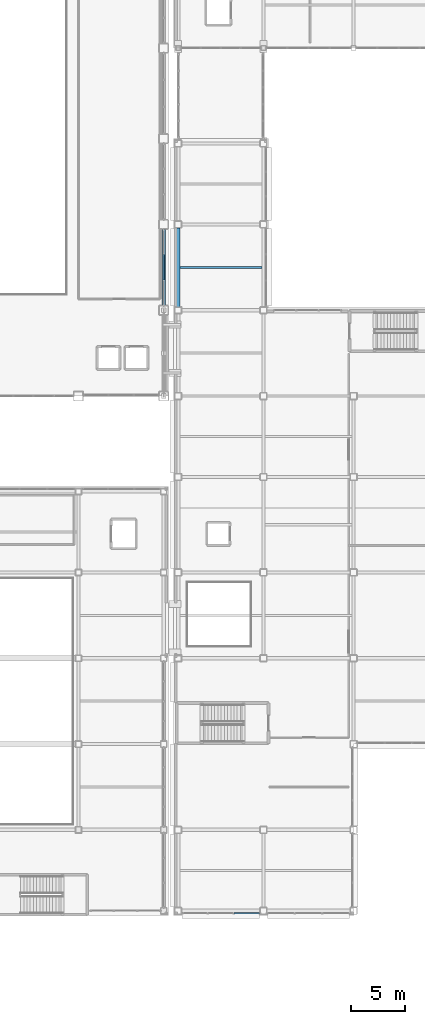
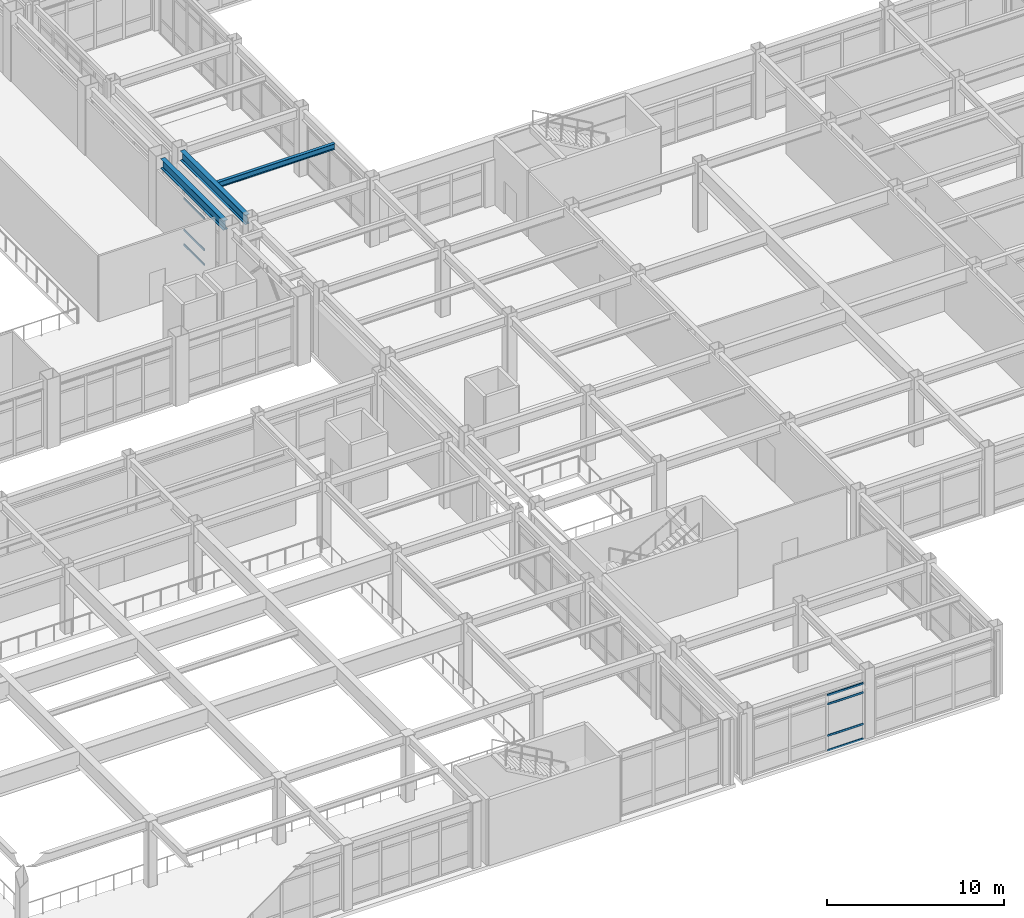
# One storey, part 39 of 172: 8 members, 3 beams, 2 elements without a shape of their own.
"""IFC4 building model written with IfcOpenShell, lengths in metres."""

from ifc_helpers import new_model, si_unit, direction, frame, origin, origin_2d, place, context, subcontext, project, spatial, hollow_rectangle, i_section, extrude, material, layer, layer_set, material_profile, profile_set, type_object, element, aggregate, save


model = new_model("IFC4")

# Units and contexts
model_context = context("Model", 3, precision=1e-05, world=origin(), true_north=direction((0.0, 1.0)))
body_context = subcontext(model_context, "Body", "Model", "MODEL_VIEW")
ifc_project = project(units=[si_unit("LENGTHUNIT", "METRE"), si_unit("AREAUNIT", "SQUARE_METRE"), si_unit("VOLUMEUNIT", "CUBIC_METRE"), si_unit("PLANEANGLEUNIT", "RADIAN"), si_unit("MASSUNIT", "GRAM", prefix="KILO")], contexts=[model_context])

# Site, building, storey
site_placement = place(None, origin())
site = spatial("IfcSite", under=ifc_project, at=site_placement, CompositionType="ELEMENT")
building_placement = place(site_placement, origin())
building = spatial("IfcBuilding", under=site, at=building_placement, Name="Kazehara Bluff Congress Hotel", CompositionType="ELEMENT")
storey_placement = place(building_placement, frame((0.0, 0.0, 5.39990234375)))
storey = spatial("IfcBuildingStorey", under=building, at=storey_placement, Name="L01", CompositionType="ELEMENT", Elevation=5.39990234375)

# Curtain wall, members
ifc_material_1 = material(Name="Anodised aluminium", Category="aluminium")
ifc_layer_1 = layer(ifc_material_1, 0.159912109375)
ifc_layer_set_1 = layer_set([ifc_layer_1], Name="Anodised aluminium")
curtain_wall_type_1 = type_object("IfcCurtainWallType", Name="TP-CW-20", PredefinedType="NOTDEFINED", material=ifc_layer_set_1)
curtain_wall_1_placement = place(storey_placement, origin())
curtain_wall_1 = element("IfcCurtainWall", 1, at=curtain_wall_1_placement, inside=storey, type_object=curtain_wall_type_1, Name="L01 curtain wall CW-20 CW-V1-L01-X5835-5690", PredefinedType="NOTDEFINED")
ifc_material_2 = material(Name="Anodised aluminium", Category="aluminium")
ifc_material_profile_1 = material_profile(ifc_material_2, hollow_rectangle(XDim=0.06494140625, YDim=0.139892578125, WallThickness=0.00390625, InnerFilletRadius=0.00390625, OuterFilletRadius=0.008056640625, at=origin_2d()))
ifc_profile_set_1 = profile_set([ifc_material_profile_1], Name="Anodised aluminium")
member_type = type_object("IfcMemberType", Name="TP-CWT-02", PredefinedType="USERDEFINED", material=ifc_profile_set_1)
member_1_placement = place(storey_placement, frame((58.35009765625, 59.299072265625, 0.03271484375), z_axis=(0.0, 1.0, 0.0), x_axis=(-1.0, 0.0, 0.0)))
member_1 = element("IfcMember", 2, at=member_1_placement, type_object=member_type, Name="CW-20 transom 2.1", ObjectType="TRANSOM", PredefinedType="USERDEFINED", context=body_context, shape_type="SweptSolid", body=[
    extrude(hollow_rectangle(XDim=0.06494140625, YDim=0.139892578125, WallThickness=0.00390625, InnerFilletRadius=0.00390625, OuterFilletRadius=0.008056640625, at=origin_2d()), origin(), (0.0, 0.0, 1.0), 2.3017578125),
])
member_2_placement = place(storey_placement, frame((58.35009765625, 59.299072265625, 1.050048828125), z_axis=(0.0, 1.0, 0.0), x_axis=(-1.0, 0.0, 0.0)))
member_2 = element("IfcMember", 3, at=member_2_placement, type_object=member_type, Name="CW-20 transom 2.2", ObjectType="TRANSOM", PredefinedType="USERDEFINED", context=body_context, shape_type="SweptSolid", body=[
    extrude(hollow_rectangle(XDim=0.06494140625, YDim=0.139892578125, WallThickness=0.00390625, InnerFilletRadius=0.00390625, OuterFilletRadius=0.008056640625, at=origin_2d()), origin(), (0.0, 0.0, 1.0), 2.3017578125),
])
member_3_placement = place(storey_placement, frame((58.35009765625, 59.299072265625, 3.22509765625), z_axis=(0.0, 1.0, 0.0), x_axis=(-1.0, 0.0, 0.0)))
member_3 = element("IfcMember", 4, at=member_3_placement, type_object=member_type, Name="CW-20 transom 2.3", ObjectType="TRANSOM", PredefinedType="USERDEFINED", context=body_context, shape_type="SweptSolid", body=[
    extrude(hollow_rectangle(XDim=0.06494140625, YDim=0.139892578125, WallThickness=0.00390625, InnerFilletRadius=0.00390625, OuterFilletRadius=0.008056640625, at=origin_2d()), origin(), (0.0, 0.0, 1.0), 2.3017578125),
])
member_4_placement = place(storey_placement, frame((58.35009765625, 59.299072265625, 3.842529296875), z_axis=(0.0, 1.0, 0.0), x_axis=(-1.0, 0.0, 0.0)))
member_4 = element("IfcMember", 5, at=member_4_placement, type_object=member_type, Name="CW-20 transom 2.4", ObjectType="TRANSOM", PredefinedType="USERDEFINED", context=body_context, shape_type="SweptSolid", body=[
    extrude(hollow_rectangle(XDim=0.06494140625, YDim=0.139892578125, WallThickness=0.00390625, InnerFilletRadius=0.00390625, OuterFilletRadius=0.008056640625, at=origin_2d()), origin(), (0.0, 0.0, 1.0), 2.3017578125),
])
aggregate(curtain_wall_1, [member_1, member_2, member_3, member_4])

ifc_material_3 = material(Name="Anodised aluminium", Category="aluminium")
ifc_layer_2 = layer(ifc_material_3, 0.159912109375)
ifc_layer_set_2 = layer_set([ifc_layer_2], Name="Anodised aluminium")
curtain_wall_type_2 = type_object("IfcCurtainWallType", Name="TP-CW-80", PredefinedType="NOTDEFINED", material=ifc_layer_set_2)
curtain_wall_2_placement = place(storey_placement, origin())
curtain_wall_2 = element("IfcCurtainWall", 6, at=curtain_wall_2_placement, inside=storey, type_object=curtain_wall_type_2, Name="L01 curtain wall CW-80 CW-ENC-V4-L01-6368-22", PredefinedType="NOTDEFINED")
member_5_placement = place(storey_placement, frame((67.260009765625, 0.219970703125, 0.03271484375), z_axis=(-1.0, 0.0, 0.0), x_axis=(0.0, -1.0, 0.0)))
member_5 = element("IfcMember", 7, at=member_5_placement, type_object=member_type, Name="CW-80 transom 1.1", ObjectType="TRANSOM", PredefinedType="USERDEFINED", context=body_context, shape_type="SweptSolid", body=[
    extrude(hollow_rectangle(XDim=0.06494140625, YDim=0.139892578125, WallThickness=0.00390625, InnerFilletRadius=0.00390625, OuterFilletRadius=0.008056640625, at=origin_2d()), origin(), (0.0, 0.0, 1.0), 2.3359375),
])
member_6_placement = place(storey_placement, frame((67.260009765625, 0.219970703125, 1.050048828125), z_axis=(-1.0, 0.0, 0.0), x_axis=(0.0, -1.0, 0.0)))
member_6 = element("IfcMember", 8, at=member_6_placement, type_object=member_type, Name="CW-80 transom 1.2", ObjectType="TRANSOM", PredefinedType="USERDEFINED", context=body_context, shape_type="SweptSolid", body=[
    extrude(hollow_rectangle(XDim=0.06494140625, YDim=0.139892578125, WallThickness=0.00390625, InnerFilletRadius=0.00390625, OuterFilletRadius=0.008056640625, at=origin_2d()), origin(), (0.0, 0.0, 1.0), 2.3359375),
])
member_7_placement = place(storey_placement, frame((67.260009765625, 0.219970703125, 3.22509765625), z_axis=(-1.0, 0.0, 0.0), x_axis=(0.0, -1.0, 0.0)))
member_7 = element("IfcMember", 9, at=member_7_placement, type_object=member_type, Name="CW-80 transom 1.3", ObjectType="TRANSOM", PredefinedType="USERDEFINED", context=body_context, shape_type="SweptSolid", body=[
    extrude(hollow_rectangle(XDim=0.06494140625, YDim=0.139892578125, WallThickness=0.00390625, InnerFilletRadius=0.00390625, OuterFilletRadius=0.008056640625, at=origin_2d()), origin(), (0.0, 0.0, 1.0), 2.3359375),
])
member_8_placement = place(storey_placement, frame((67.260009765625, 0.219970703125, 3.842529296875), z_axis=(-1.0, 0.0, 0.0), x_axis=(0.0, -1.0, 0.0)))
member_8 = element("IfcMember", 10, at=member_8_placement, type_object=member_type, Name="CW-80 transom 1.4", ObjectType="TRANSOM", PredefinedType="USERDEFINED", context=body_context, shape_type="SweptSolid", body=[
    extrude(hollow_rectangle(XDim=0.06494140625, YDim=0.139892578125, WallThickness=0.00390625, InnerFilletRadius=0.00390625, OuterFilletRadius=0.008056640625, at=origin_2d()), origin(), (0.0, 0.0, 1.0), 2.3359375),
])
aggregate(curtain_wall_2, [member_5, member_6, member_7, member_8])

# Beams
ifc_material_4 = material(Name="Steel SN490B", Category="steel")
ifc_material_profile_2 = material_profile(ifc_material_4, i_section(OverallWidth=0.300048828125, OverallDepth=0.64990234375, WebThickness=0.011962890625, FlangeThickness=0.02001953125, FilletRadius=0.012939453125, at=origin_2d()))
ifc_profile_set_2 = profile_set([ifc_material_profile_2], Name="Steel SN490B")
beam_type_1 = type_object("IfcBeamType", Name="TP-G-03", PredefinedType="BEAM", material=ifc_profile_set_2)
beam_1_placement = place(storey_placement, frame((58.35009765625, 56.89990234375, 4.22509765625), z_axis=(0.0, 1.0, 0.0), x_axis=(-1.0, 0.0, 0.0)))
element("IfcBeam", 11, at=beam_1_placement, inside=storey, type_object=beam_type_1, Name="L01 girder G-03 18", PredefinedType="BEAM", context=body_context, shape_type="SweptSolid", body=[
    extrude(i_section(OverallWidth=0.300048828125, OverallDepth=0.64990234375, WebThickness=0.011962890625, FlangeThickness=0.02001953125, FilletRadius=0.012939453125, at=origin_2d()), origin(), (0.0, 0.0, 1.0), 7.10009765625),
])
beam_2_placement = place(storey_placement, frame((59.699951171875, 56.77490234375, 4.22509765625), z_axis=(0.0, 1.0, 0.0), x_axis=(-1.0, 0.0, 0.0)))
element("IfcBeam", 12, at=beam_2_placement, inside=storey, type_object=beam_type_1, Name="L01 girder G-03 153", PredefinedType="BEAM", context=body_context, shape_type="SweptSolid", body=[
    extrude(i_section(OverallWidth=0.300048828125, OverallDepth=0.64990234375, WebThickness=0.011962890625, FlangeThickness=0.02001953125, FilletRadius=0.012939453125, at=origin_2d()), origin(), (0.0, 0.0, 1.0), 7.35009765625),
])
ifc_material_5 = material(Name="Steel SN400B", Category="steel")
ifc_material_profile_3 = material_profile(ifc_material_5, i_section(OverallWidth=0.199951171875, OverallDepth=0.39990234375, WebThickness=0.008056640625, FlangeThickness=0.012939453125, FilletRadius=0.012939453125, at=origin_2d()))
ifc_profile_set_3 = profile_set([ifc_material_profile_3], Name="Steel SN400B")
beam_type_2 = type_object("IfcBeamType", Name="TP-J-03", PredefinedType="JOIST", material=ifc_profile_set_3)
beam_3_placement = place(storey_placement, frame((59.85009765625, 60.449951171875, 4.35009765625), z_axis=(1.0, 0.0, 0.0), x_axis=(0.0, 1.0, 0.0)))
element("IfcBeam", 13, at=beam_3_placement, inside=storey, type_object=beam_type_2, Name="L01 secondary joist J-03 37", PredefinedType="JOIST", context=body_context, shape_type="SweptSolid", body=[
    extrude(i_section(OverallWidth=0.199951171875, OverallDepth=0.39990234375, WebThickness=0.008056640625, FlangeThickness=0.012939453125, FilletRadius=0.012939453125, at=origin_2d()), origin(), (0.0, 0.0, 1.0), 7.64990234375),
])

save(model, "model.ifc")
